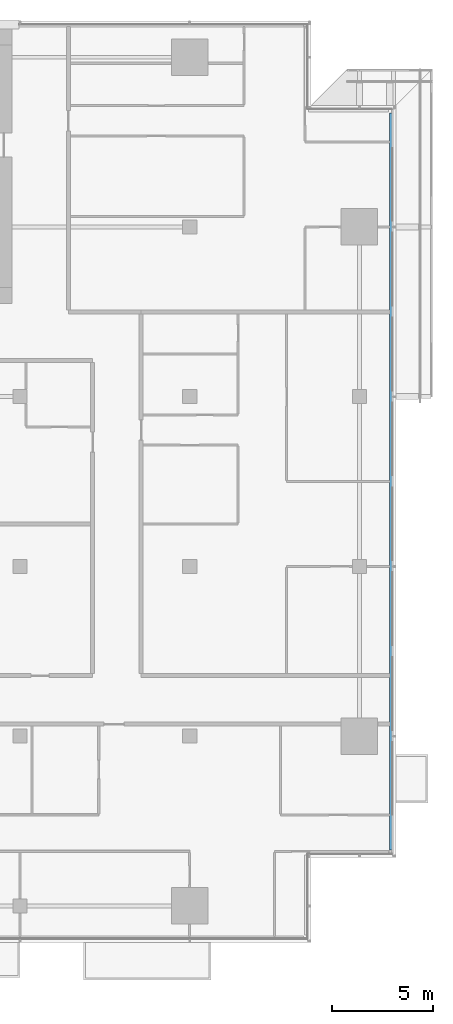
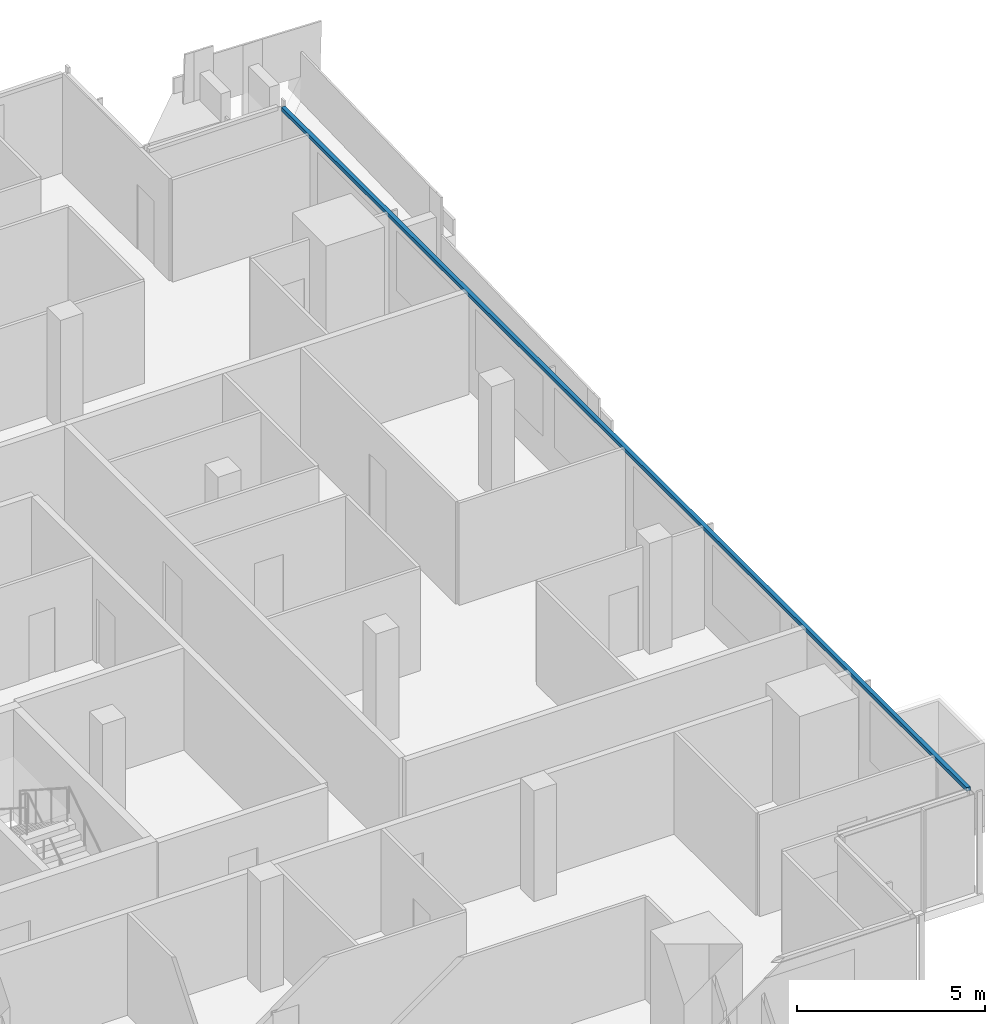
# One storey, part 13 of 30: 1 member, 1 element without a shape of its own.
"""IFC4 building model written with IfcOpenShell, lengths in metres."""

from ifc_helpers import new_model, si_unit, direction, frame, origin, origin_2d, place, context, subcontext, project, spatial, rectangle, extrude, material, material_profile, profile_set, type_object, element, aggregate, save


model = new_model("IFC4")

# Units and contexts
model_context = context("Model", 3, precision=1e-05, world=origin(), true_north=direction((0.0, 1.0)))
body_context = subcontext(model_context, "Body", "Model", "MODEL_VIEW")
ifc_project = project(units=[si_unit("LENGTHUNIT", "METRE"), si_unit("AREAUNIT", "SQUARE_METRE"), si_unit("VOLUMEUNIT", "CUBIC_METRE"), si_unit("PLANEANGLEUNIT", "RADIAN"), si_unit("MASSUNIT", "GRAM", prefix="KILO")], contexts=[model_context])

# Site, building, storey
site_placement = place(None, origin())
site = spatial("IfcSite", under=ifc_project, at=site_placement, CompositionType="ELEMENT")
building_placement = place(site_placement, origin())
building = spatial("IfcBuilding", under=site, at=building_placement, Name="Saffron Gate Tower", CompositionType="ELEMENT")
storey_placement = place(building_placement, frame((0.0, 0.0, 165.449951171875)))
storey = spatial("IfcBuildingStorey", under=building, at=storey_placement, Name="L40", CompositionType="ELEMENT", Elevation=165.449951171875)

# Curtain wall, member
ifc_material = material(Name="Aluminium, bronze anodised", Category="aluminium")
curtain_wall_type = type_object("IfcCurtainWallType", Name="CWS2 curtain wall side facades", PredefinedType="NOTDEFINED", material=ifc_material)
curtain_wall_placement = place(storey_placement, origin())
curtain_wall = element("IfcCurtainWall", 1, at=curtain_wall_placement, inside=storey, type_object=curtain_wall_type, Name="CWS2 run 4", PredefinedType="NOTDEFINED")
ifc_material_profile = material_profile(ifc_material, rectangle(XDim=0.1201171875, YDim=0.1201171875, at=origin_2d()))
ifc_profile_set = profile_set([ifc_material_profile], Name="Aluminium, bronze anodised")
member_type = type_object("IfcMemberType", Name="CWS2 head transom", PredefinedType="USERDEFINED", material=ifc_profile_set)
member_placement = place(storey_placement, frame((126.951904296875, 34.568115234375, 3.260009765625), z_axis=(0.0, 1.0, 0.0), x_axis=(-1.0, 0.0, 0.0)))
member = element("IfcMember", 2, at=member_placement, type_object=member_type, Name="CWS2 head transom", ObjectType="TRANSOM", PredefinedType="USERDEFINED", context=body_context, shape_type="SweptSolid", body=[
    extrude(rectangle(XDim=0.1201171875, YDim=0.1201171875, at=origin_2d()), origin(), (0.0, 0.0, 1.0), 36.4638671875),
])
aggregate(curtain_wall, [member])

save(model, "model.ifc")
